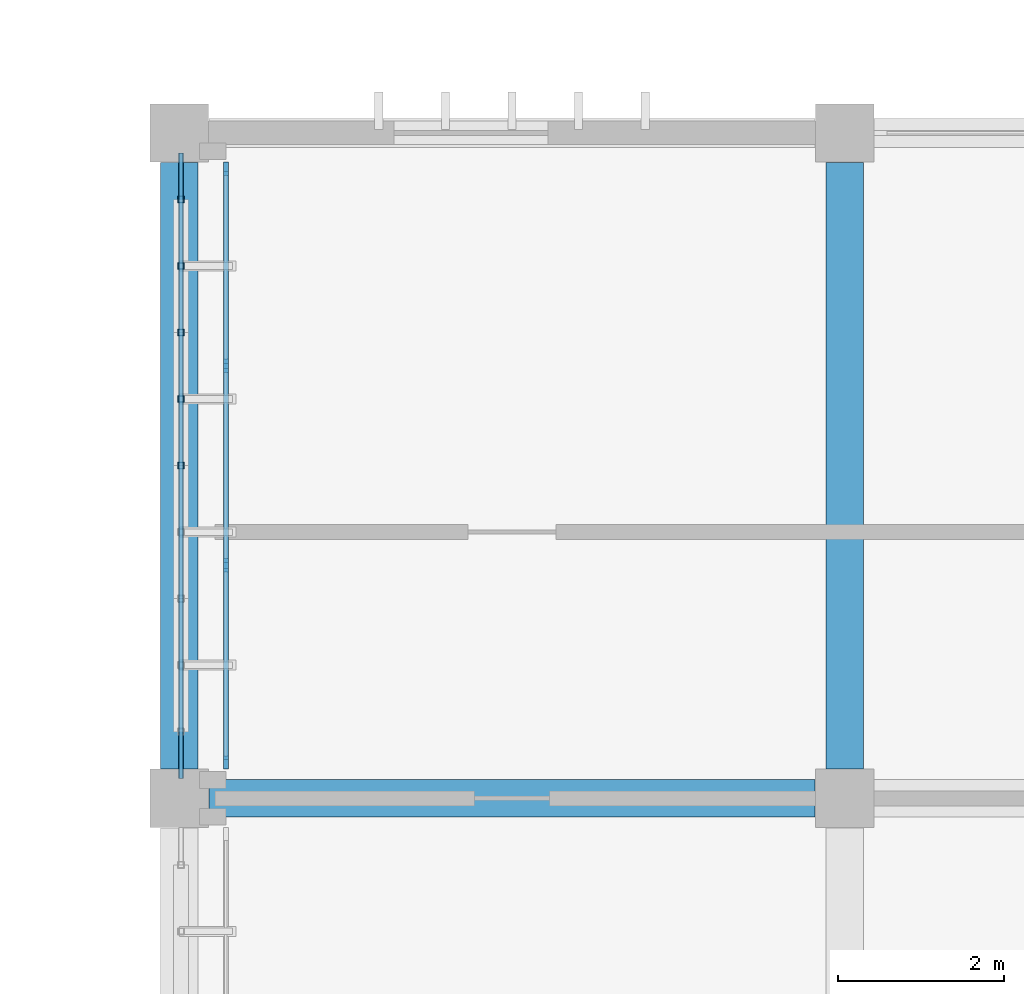
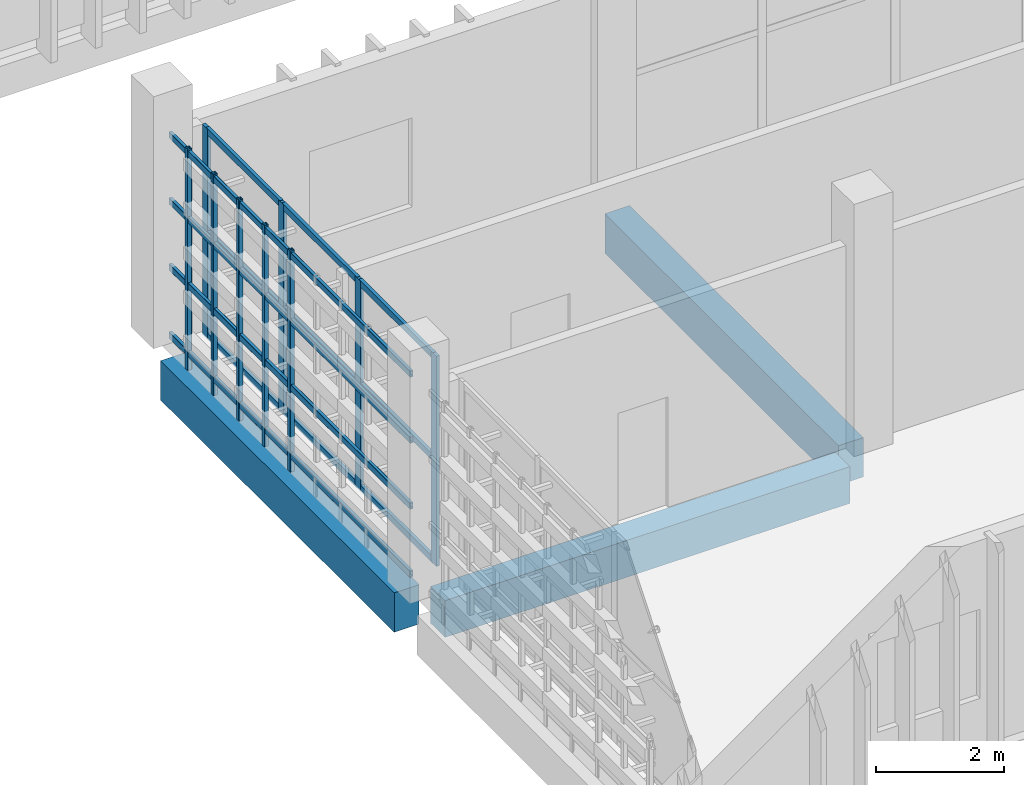
# One storey, part 42 of 106: 22 members, 3 beams, 1 element without a shape of its own.
"""IFC4 building model written with IfcOpenShell, lengths in metres."""

from ifc_helpers import new_model, si_unit, direction, frame, origin, origin_2d, place, context, subcontext, project, spatial, rectangle, hollow_rectangle, extrude, material, layer, layer_set, material_profile, profile_set, type_object, element, aggregate, save


model = new_model("IFC4")

# Units and contexts
model_context = context("Model", 3, precision=1e-05, world=origin(), true_north=direction((0.0, 1.0)))
body_context = subcontext(model_context, "Body", "Model", "MODEL_VIEW")
ifc_project = project(units=[si_unit("LENGTHUNIT", "METRE"), si_unit("AREAUNIT", "SQUARE_METRE"), si_unit("VOLUMEUNIT", "CUBIC_METRE"), si_unit("PLANEANGLEUNIT", "RADIAN"), si_unit("MASSUNIT", "GRAM", prefix="KILO")], contexts=[model_context])

# Site, building, storey
site_placement = place(None, origin())
site = spatial("IfcSite", under=ifc_project, at=site_placement, CompositionType="ELEMENT")
building_placement = place(site_placement, origin())
building = spatial("IfcBuilding", under=site, at=building_placement, Name="Jelvoka-Kovrelna Polytechnic", CompositionType="ELEMENT")
storey_placement = place(building_placement, frame((0.0, 0.0, 4.800048828125)))
storey = spatial("IfcBuildingStorey", under=building, at=storey_placement, Name="L02", CompositionType="ELEMENT", Elevation=4.800048828125)

# Beams
ifc_material_1 = material(Name="Concrete C40/50", Category="concrete")
ifc_material_profile_1 = material_profile(ifc_material_1, rectangle(XDim=0.449951171875, YDim=0.699951171875, at=origin_2d()), Name="RC 450x700")
ifc_profile_set_1 = profile_set([ifc_material_profile_1], Name="Concrete C40/50")
beam_type_1 = type_object("IfcBeamType", Name="Beam_RC_450x700", PredefinedType="BEAM", material=ifc_profile_set_1)
beam_placement = place(storey_placement, frame((128.35498046875, 40.0, -0.614990234375), z_axis=(1.0, 0.0, 0.0), x_axis=(0.0, 1.0, 0.0)))
element("IfcBeam", 1, at=beam_placement, inside=storey, type_object=beam_type_1, Name="L02 beam 0718", PredefinedType="BEAM", context=body_context, shape_type="SweptSolid", body=[
    extrude(rectangle(XDim=0.449951171875, YDim=0.699951171875, at=origin_2d()), origin(), (0.0, 0.0, 1.0), 7.2900390625),
])
ifc_material_2 = material(Name="Concrete C40/50", Category="concrete")
ifc_material_profile_2 = material_profile(ifc_material_2, rectangle(XDim=0.449951171875, YDim=0.75, at=origin_2d()), Name="RC 450x750")
ifc_profile_set_2 = profile_set([ifc_material_profile_2], Name="Concrete C40/50")
beam_type_2 = type_object("IfcBeamType", Name="Beam_RC_450x750", PredefinedType="BEAM", material=ifc_profile_set_2)
for number, where, z_axis, x_axis, name in (
    (2, (128.0, 40.35498046875, -0.64013671875), (0.0, 1.0, 0.0), (-1.0, 0.0, 0.0), "L02 beam 0736"),
    (3, (136.0, 40.35498046875, -0.64013671875), (0.0, 1.0, 0.0), (-1.0, 0.0, 0.0), "L02 beam 0738"),
):
    element("IfcBeam", number, at=place(storey_placement, frame(where, z_axis=z_axis, x_axis=x_axis)), inside=storey, type_object=beam_type_2, Name=name, PredefinedType="BEAM", context=body_context, shape_type="SweptSolid", body=[
        extrude(rectangle(XDim=0.449951171875, YDim=0.75, at=origin_2d()), origin(), (0.0, 0.0, 1.0), 7.2900390625),
    ])

# Members
ifc_material_3 = material(Name="Structural steel S355J2H", Category="steel")
ifc_material_profile_3 = material_profile(ifc_material_3, hollow_rectangle(XDim=0.06005859375, YDim=0.1201171875, WallThickness=0.0048828125, InnerFilletRadius=0.0048828125, OuterFilletRadius=0.007568359375, at=origin_2d()), Name="120x60x5.0 RHS")
ifc_profile_set_3 = profile_set([ifc_material_profile_3], Name="Structural steel S355J2H")
member_type_1 = type_object("IfcMemberType", Name="Member_Strut_RHS120", PredefinedType="STRUT", material=ifc_profile_set_3)
for number, where, z_axis, x_axis, name in (
    (4, (128.02001953125, 40.239990234375, 0.079833984375), (0.0, 1.0, 0.0), (-1.0, 0.0, 0.0), "L02 terracotta screen horizontal strut 0339"),
    (5, (128.02001953125, 40.239990234375, 1.375244140625), (0.0, 1.0, 0.0), (-1.0, 0.0, 0.0), "L02 terracotta screen horizontal strut 0340"),
    (6, (128.02001953125, 40.239990234375, 2.632568359375), (0.0, 1.0, 0.0), (-1.0, 0.0, 0.0), "L02 terracotta screen horizontal strut 0341"),
    (7, (128.02001953125, 40.239990234375, 3.889892578125), (0.0, 1.0, 0.0), (-1.0, 0.0, 0.0), "L02 terracotta screen horizontal strut 0342"),
):
    element("IfcMember", number, at=place(storey_placement, frame(where, z_axis=z_axis, x_axis=x_axis)), inside=storey, type_object=member_type_1, Name=name, PredefinedType="STRUT", context=body_context, shape_type="SweptSolid", body=[
        extrude(hollow_rectangle(XDim=0.06005859375, YDim=0.1201171875, WallThickness=0.0048828125, InnerFilletRadius=0.0048828125, OuterFilletRadius=0.007568359375, at=origin_2d()), origin(), (0.0, 0.0, 1.0), 7.52001953125),
    ])
ifc_material_4 = material(Name="Structural steel S355J2H", Category="steel")
ifc_material_profile_4 = material_profile(ifc_material_4, hollow_rectangle(XDim=0.080078125, YDim=0.080078125, WallThickness=0.0048828125, InnerFilletRadius=0.0048828125, OuterFilletRadius=0.007568359375, at=origin_2d()), Name="80x80x5.0 SHS")
ifc_profile_set_4 = profile_set([ifc_material_profile_4], Name="Structural steel S355J2H")
member_type_2 = type_object("IfcMemberType", Name="Member_Strut_SHS80", PredefinedType="STRUT", material=ifc_profile_set_4)
for number, where, z_axis, x_axis, name in (
    (8, (128.02001953125, 44.0, -0.22998046875), (0.0, 0.0, 1.0), (1.0, 0.0, 0.0), "L02 terracotta lattice vertical rib 0347"),
    (9, (128.02001953125, 44.800048828125, -0.22998046875), (0.0, 0.0, 1.0), (1.0, 0.0, 0.0), "L02 terracotta lattice vertical rib 0348"),
    (10, (128.02001953125, 45.60009765625, -0.22998046875), (0.0, 0.0, 1.0), (1.0, 0.0, 0.0), "L02 terracotta lattice vertical rib 0349"),
    (11, (128.02001953125, 46.39990234375, -0.22998046875), (0.0, 0.0, 1.0), (1.0, 0.0, 0.0), "L02 terracotta lattice vertical rib 0350"),
    (12, (128.02001953125, 47.199951171875, -0.22998046875), (0.0, 0.0, 1.0), (1.0, 0.0, 0.0), "L02 terracotta lattice vertical rib 0351"),
):
    element("IfcMember", number, at=place(storey_placement, frame(where, z_axis=z_axis, x_axis=x_axis)), inside=storey, type_object=member_type_2, Name=name, PredefinedType="STRUT", context=body_context, shape_type="SweptSolid", body=[
        extrude(hollow_rectangle(XDim=0.080078125, YDim=0.080078125, WallThickness=0.0048828125, InnerFilletRadius=0.0048828125, OuterFilletRadius=0.007568359375, at=origin_2d()), origin(), (0.0, 0.0, 1.0), 4.2099609375),
    ])

# Curtain wall, members
ifc_material_5 = material(Name="Anodised aluminium 6063-T6", Category="aluminium")
ifc_layer = layer(ifc_material_5, 0.159912109375)
ifc_layer_set = layer_set([ifc_layer], Name="Anodised aluminium 6063-T6")
curtain_wall_type = type_object("IfcCurtainWallType", Name="CW_Recessed_A", PredefinedType="NOTDEFINED", material=ifc_layer_set)
curtain_wall_placement = place(storey_placement, origin())
curtain_wall = element("IfcCurtainWall", 13, at=curtain_wall_placement, inside=storey, type_object=curtain_wall_type, Name="L02 glazed curtain wall 051", PredefinedType="NOTDEFINED")
ifc_material_6 = material(Name="Anodised aluminium 6063-T6", Category="aluminium")
ifc_material_profile_5 = material_profile(ifc_material_6, rectangle(XDim=0.06005859375, YDim=0.159912109375, at=origin_2d()), Name="ALU 60x160")
ifc_profile_set_5 = profile_set([ifc_material_profile_5], Name="Anodised aluminium 6063-T6")
member_type_3 = type_object("IfcMemberType", Name="Mullion_M-01", PredefinedType="MULLION", material=ifc_profile_set_5)
member_1_placement = place(storey_placement, frame((128.56005859375, 40.429931640625, -0.02490234375), z_axis=(0.0, 0.0, 1.0), x_axis=(-1.0, 0.0, 0.0)))
member_1 = element("IfcMember", 14, at=member_1_placement, type_object=member_type_3, Name="CW-01 mullion 1", PredefinedType="MULLION", context=body_context, shape_type="SweptSolid", body=[
    extrude(rectangle(XDim=0.06005859375, YDim=0.159912109375, at=origin_2d()), origin(), (0.0, 0.0, 1.0), 4.0),
])
member_2_placement = place(storey_placement, frame((128.56005859375, 42.800048828125, -0.02490234375), z_axis=(0.0, 0.0, 1.0), x_axis=(-1.0, 0.0, 0.0)))
member_2 = element("IfcMember", 15, at=member_2_placement, type_object=member_type_3, Name="CW-01 mullion 2", PredefinedType="MULLION", context=body_context, shape_type="SweptSolid", body=[
    extrude(rectangle(XDim=0.06005859375, YDim=0.159912109375, at=origin_2d()), origin(), (0.0, 0.0, 1.0), 4.0),
])
member_3_placement = place(storey_placement, frame((128.56005859375, 45.199951171875, -0.02490234375), z_axis=(0.0, 0.0, 1.0), x_axis=(-1.0, 0.0, 0.0)))
member_3 = element("IfcMember", 16, at=member_3_placement, type_object=member_type_3, Name="CW-01 mullion 3", PredefinedType="MULLION", context=body_context, shape_type="SweptSolid", body=[
    extrude(rectangle(XDim=0.06005859375, YDim=0.159912109375, at=origin_2d()), origin(), (0.0, 0.0, 1.0), 4.0),
])
member_4_placement = place(storey_placement, frame((128.56005859375, 47.570068359375, -0.02490234375), z_axis=(0.0, 0.0, 1.0), x_axis=(-1.0, 0.0, 0.0)))
member_4 = element("IfcMember", 17, at=member_4_placement, type_object=member_type_3, Name="CW-01 mullion 4", PredefinedType="MULLION", context=body_context, shape_type="SweptSolid", body=[
    extrude(rectangle(XDim=0.06005859375, YDim=0.159912109375, at=origin_2d()), origin(), (0.0, 0.0, 1.0), 4.0),
])
ifc_material_7 = material(Name="Anodised aluminium 6063-T6", Category="aluminium")
ifc_material_profile_6 = material_profile(ifc_material_7, rectangle(XDim=0.06005859375, YDim=0.1201171875, at=origin_2d()), Name="ALU 60x120")
ifc_profile_set_6 = profile_set([ifc_material_profile_6], Name="Anodised aluminium 6063-T6")
member_type_4 = type_object("IfcMemberType", Name="Transom_T-01", PredefinedType="USERDEFINED", material=ifc_profile_set_6)
member_5_placement = place(storey_placement, frame((128.56005859375, 40.4599609375, 0.030029296875), z_axis=(0.0, 1.0, 0.0), x_axis=(-1.0, 0.0, 0.0)))
member_5 = element("IfcMember", 18, at=member_5_placement, type_object=member_type_4, Name="CW-01 transom 1.1", ObjectType="TRANSOM", PredefinedType="USERDEFINED", context=body_context, shape_type="SweptSolid", body=[
    extrude(rectangle(XDim=0.06005859375, YDim=0.1201171875, at=origin_2d()), origin(), (0.0, 0.0, 1.0), 2.31005859375),
])
member_6_placement = place(storey_placement, frame((128.56005859375, 40.4599609375, 1.974853515625), z_axis=(0.0, 1.0, 0.0), x_axis=(-1.0, 0.0, 0.0)))
member_6 = element("IfcMember", 19, at=member_6_placement, type_object=member_type_4, Name="CW-01 transom 1.2", ObjectType="TRANSOM", PredefinedType="USERDEFINED", context=body_context, shape_type="SweptSolid", body=[
    extrude(rectangle(XDim=0.06005859375, YDim=0.1201171875, at=origin_2d()), origin(), (0.0, 0.0, 1.0), 2.31005859375),
])
member_7_placement = place(storey_placement, frame((128.56005859375, 40.4599609375, 3.919921875), z_axis=(0.0, 1.0, 0.0), x_axis=(-1.0, 0.0, 0.0)))
member_7 = element("IfcMember", 20, at=member_7_placement, type_object=member_type_4, Name="CW-01 transom 1.3", ObjectType="TRANSOM", PredefinedType="USERDEFINED", context=body_context, shape_type="SweptSolid", body=[
    extrude(rectangle(XDim=0.06005859375, YDim=0.1201171875, at=origin_2d()), origin(), (0.0, 0.0, 1.0), 2.31005859375),
])
member_8_placement = place(storey_placement, frame((128.56005859375, 42.830078125, 0.030029296875), z_axis=(0.0, 1.0, 0.0), x_axis=(-1.0, 0.0, 0.0)))
member_8 = element("IfcMember", 21, at=member_8_placement, type_object=member_type_4, Name="CW-01 transom 2.1", ObjectType="TRANSOM", PredefinedType="USERDEFINED", context=body_context, shape_type="SweptSolid", body=[
    extrude(rectangle(XDim=0.06005859375, YDim=0.1201171875, at=origin_2d()), origin(), (0.0, 0.0, 1.0), 2.33984375),
])
member_9_placement = place(storey_placement, frame((128.56005859375, 42.830078125, 1.974853515625), z_axis=(0.0, 1.0, 0.0), x_axis=(-1.0, 0.0, 0.0)))
member_9 = element("IfcMember", 22, at=member_9_placement, type_object=member_type_4, Name="CW-01 transom 2.2", ObjectType="TRANSOM", PredefinedType="USERDEFINED", context=body_context, shape_type="SweptSolid", body=[
    extrude(rectangle(XDim=0.06005859375, YDim=0.1201171875, at=origin_2d()), origin(), (0.0, 0.0, 1.0), 2.33984375),
])
member_10_placement = place(storey_placement, frame((128.56005859375, 42.830078125, 3.919921875), z_axis=(0.0, 1.0, 0.0), x_axis=(-1.0, 0.0, 0.0)))
member_10 = element("IfcMember", 23, at=member_10_placement, type_object=member_type_4, Name="CW-01 transom 2.3", ObjectType="TRANSOM", PredefinedType="USERDEFINED", context=body_context, shape_type="SweptSolid", body=[
    extrude(rectangle(XDim=0.06005859375, YDim=0.1201171875, at=origin_2d()), origin(), (0.0, 0.0, 1.0), 2.33984375),
])
member_11_placement = place(storey_placement, frame((128.56005859375, 45.22998046875, 0.030029296875), z_axis=(0.0, 1.0, 0.0), x_axis=(-1.0, 0.0, 0.0)))
member_11 = element("IfcMember", 24, at=member_11_placement, type_object=member_type_4, Name="CW-01 transom 3.1", ObjectType="TRANSOM", PredefinedType="USERDEFINED", context=body_context, shape_type="SweptSolid", body=[
    extrude(rectangle(XDim=0.06005859375, YDim=0.1201171875, at=origin_2d()), origin(), (0.0, 0.0, 1.0), 2.31005859375),
])
member_12_placement = place(storey_placement, frame((128.56005859375, 45.22998046875, 1.974853515625), z_axis=(0.0, 1.0, 0.0), x_axis=(-1.0, 0.0, 0.0)))
member_12 = element("IfcMember", 25, at=member_12_placement, type_object=member_type_4, Name="CW-01 transom 3.2", ObjectType="TRANSOM", PredefinedType="USERDEFINED", context=body_context, shape_type="SweptSolid", body=[
    extrude(rectangle(XDim=0.06005859375, YDim=0.1201171875, at=origin_2d()), origin(), (0.0, 0.0, 1.0), 2.31005859375),
])
member_13_placement = place(storey_placement, frame((128.56005859375, 45.22998046875, 3.919921875), z_axis=(0.0, 1.0, 0.0), x_axis=(-1.0, 0.0, 0.0)))
member_13 = element("IfcMember", 26, at=member_13_placement, type_object=member_type_4, Name="CW-01 transom 3.3", ObjectType="TRANSOM", PredefinedType="USERDEFINED", context=body_context, shape_type="SweptSolid", body=[
    extrude(rectangle(XDim=0.06005859375, YDim=0.1201171875, at=origin_2d()), origin(), (0.0, 0.0, 1.0), 2.31005859375),
])
aggregate(curtain_wall, [member_1, member_2, member_3, member_4, member_5, member_6, member_7, member_8, member_9, member_10, member_11, member_12, member_13])

save(model, "model.ifc")
